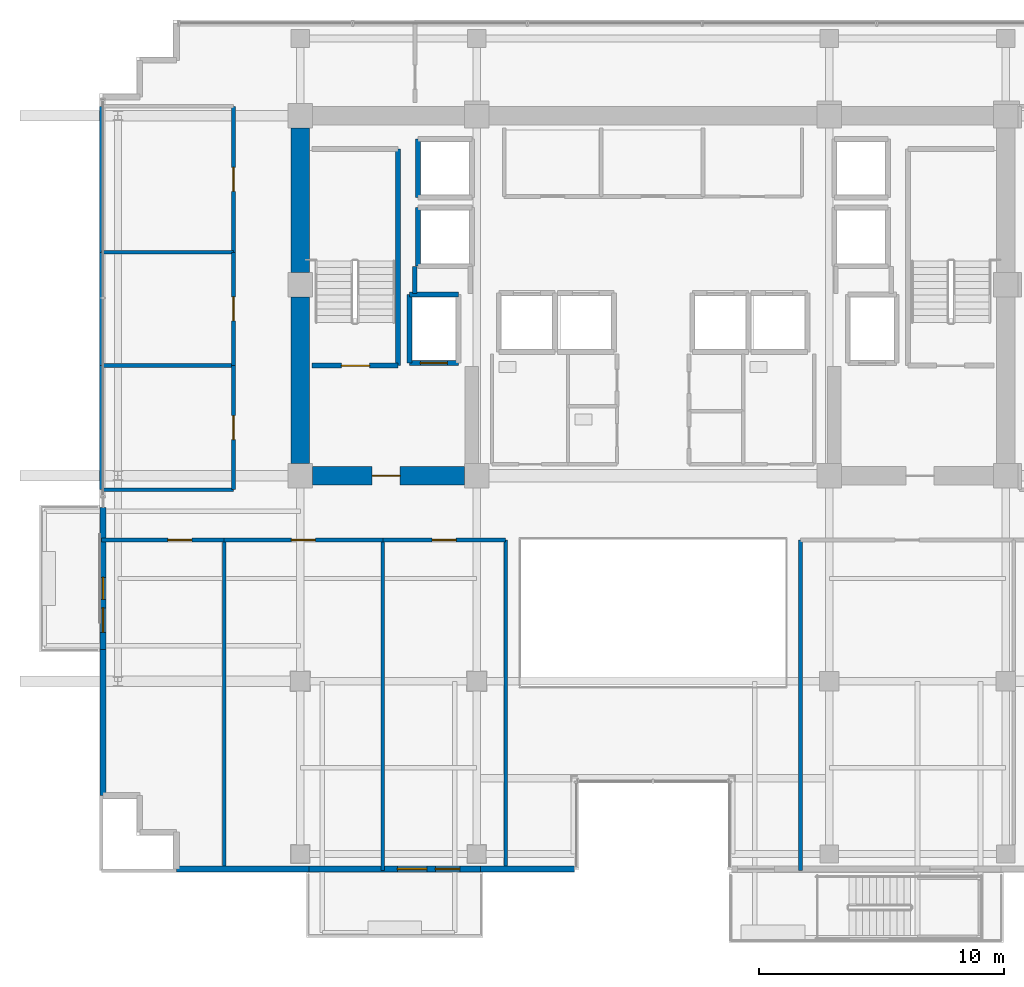
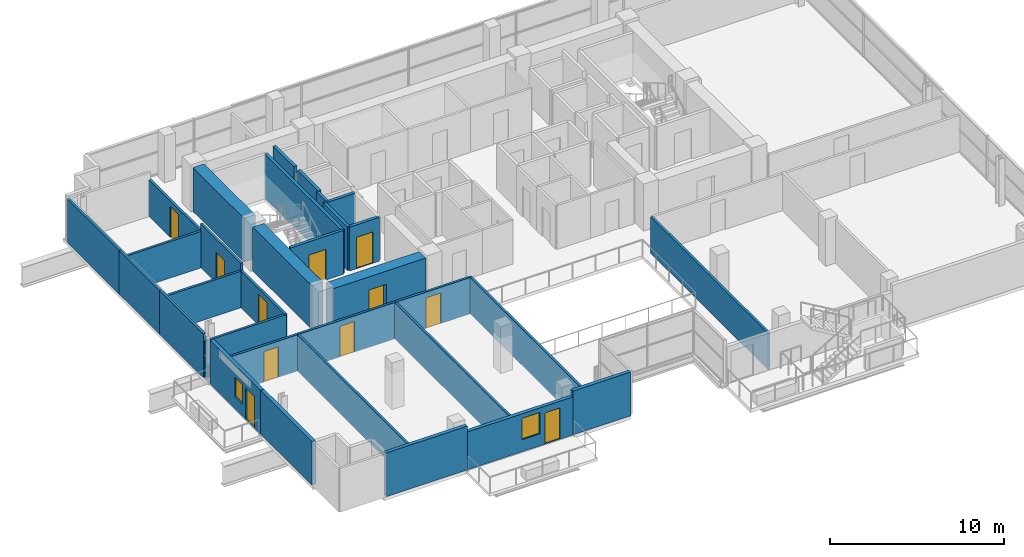
# One storey, part 16 of 23: 32 walls, 11 doors, 2 windows, 13 openings.
"""IFC4 building model written with IfcOpenShell, lengths in metres."""

from ifc_helpers import new_model, si_unit, direction, frame, frame_2d, origin, place, context, subcontext, project, spatial, rectangle, extrude, source, transform, mapped, material, layer, layer_set, type_object, element, fill, save


model = new_model("IFC4")

# Units and contexts
model_context = context("Model", 3, precision=1e-05, world=origin(), true_north=direction((0.0, 1.0)))
body_context = subcontext(model_context, "Body", "Model", "MODEL_VIEW")
ifc_project = project(units=[si_unit("LENGTHUNIT", "METRE"), si_unit("AREAUNIT", "SQUARE_METRE"), si_unit("VOLUMEUNIT", "CUBIC_METRE"), si_unit("PLANEANGLEUNIT", "RADIAN"), si_unit("MASSUNIT", "GRAM", prefix="KILO")], contexts=[model_context])

# Site, building, storey
site_placement = place(None, origin())
site = spatial("IfcSite", under=ifc_project, at=site_placement, CompositionType="ELEMENT")
building_placement = place(site_placement, origin())
building = spatial("IfcBuilding", under=site, at=building_placement, Name="Zarnakvel Exchange Tower", CompositionType="ELEMENT")
storey_placement = place(building_placement, frame((0.0, 0.0, 172.60009765625)))
storey = spatial("IfcBuildingStorey", under=building, at=storey_placement, Name="L48", CompositionType="ELEMENT", Elevation=172.60009765625)

# Walls
ifc_material_1 = material(Name="Concrete C60/75", Category="concrete")
ifc_layer_1 = layer(ifc_material_1, 0.75)
ifc_layer_set_1 = layer_set([ifc_layer_1], Name="Concrete C60/75")
wall_type_1 = type_object("IfcWallType", Name="CW-C3", PredefinedType="SHEAR", material=ifc_layer_set_1)
wall_1_placement = place(storey_placement, frame((-14.39990234375, -0.699951171875, 0.0), z_axis=(0.0, 0.0, 1.0), x_axis=(0.0, 1.0, 0.0)))
element("IfcWall", 1, at=wall_1_placement, inside=storey, type_object=wall_type_1, Name="L48 Rear Core Shear Wall W1 (CW-C3)", PredefinedType="SHEAR", context=body_context, shape_type="SweptSolid", body=[
    extrude(rectangle(XDim=6.800048828125, YDim=0.75, at=frame_2d((3.39990234375, 0.0))), origin(), (0.0, 0.0, 1.0), 3.074951171875),
])
wall_2_placement = place(storey_placement, frame((-14.39990234375, 7.10009765625, 0.0), z_axis=(0.0, 0.0, 1.0), x_axis=(0.0, 1.0, 0.0)))
element("IfcWall", 2, at=wall_2_placement, inside=storey, type_object=wall_type_1, Name="L48 Rear Core Shear Wall W2 (CW-C3)", PredefinedType="SHEAR", context=body_context, shape_type="SweptSolid", body=[
    extrude(rectangle(XDim=5.89990234375, YDim=0.75, at=frame_2d((2.949951171875, 0.0))), origin(), (0.0, 0.0, 1.0), 3.074951171875),
])

# Wall, opening, door
wall_3_placement = place(storey_placement, frame((-7.699951171875, -1.199951171875, 0.0), z_axis=(0.0, 0.0, 1.0), x_axis=(-1.0, 0.0, 0.0)))
wall_3 = element("IfcWall", 3, at=wall_3_placement, inside=storey, type_object=wall_type_1, Name="L48 Rear Core Shear Wall SW (CW-C3)", PredefinedType="SHEAR", context=body_context, shape_type="SweptSolid", body=[
    extrude(rectangle(XDim=6.199951171875, YDim=0.75, at=frame_2d((3.10009765625, 0.0))), origin(), (0.0, 0.0, 1.0), 3.074951171875),
])
opening_1_placement = place(wall_3_placement, frame((2.625, 0.0, 0.0)))
opening_1 = element("IfcOpeningElement", 4, at=opening_1_placement, cuts=wall_3, Name="Opening D-L48-03", PredefinedType="OPENING", context=body_context, shape_type="SweptSolid", body=[
    extrude(rectangle(XDim=1.14990234375, YDim=2.14990234375, at=frame_2d((0.574951171875, 1.074951171875))), frame((0.0, 0.385009765625, 0.0), z_axis=(0.0, -1.0, 0.0), x_axis=(1.0, 0.0, 0.0)), (0.0, 0.0, 1.0), 0.77001953125),
])
ifc_material_2 = material(Name="Painted Galvanised Steel S355", Category="steel")
door_type_1 = type_object("IfcDoorType", Name="DT-04", OperationType="NOTDEFINED", PredefinedType="DOOR", material=ifc_material_2)
shared_shape_1 = source(origin(), body_context, "Body", "SweptSolid", [
    extrude(rectangle(XDim=1.14990234375, YDim=2.14990234375, at=frame_2d((0.574951171875, 1.074951171875))), frame((0.0, 0.02490234375, 0.0), z_axis=(0.0, -1.0, 0.0), x_axis=(1.0, 0.0, 0.0)), (0.0, 0.0, 1.0), 0.050048828125),
])
door_1_placement = place(opening_1_placement, origin())
door_1 = element("IfcDoor", 5, at=door_1_placement, inside=storey, type_object=door_type_1, Name="L48 Firefighting Lobby West Door D-L48-03", OperationType="SINGLE_SWING_RIGHT", OverallHeight=2.14990234375, OverallWidth=1.14990234375, PredefinedType="DOOR", context=body_context, shape_type="MappedRepresentation", body=[
    mapped(shared_shape_1, transform((0.0, 0.0, 0.0), x_axis=(1.0, 0.0, 0.0), y_axis=(0.0, 1.0, 0.0), z_axis=(0.0, 0.0, 1.0), scale=1.0)),
])
fill(opening_1, door_1)

# Wall, openings, door, window
ifc_material_3 = material(Name="Precast concrete C40/50", Category="concrete")
ifc_layer_2 = layer(ifc_material_3, 0.239990234375)
ifc_layer_set_2 = layer_set([ifc_layer_2], Name="Precast concrete C40/50")
wall_type_2 = type_object("IfcWallType", Name="EW-02", PredefinedType="SOLIDWALL", material=ifc_layer_set_2)
wall_4_placement = place(storey_placement, frame((-7.050048828125, -17.260009765625, 0.0), z_axis=(0.0, 0.0, 1.0), x_axis=(-1.0, 0.0, 0.0)))
wall_4 = element("IfcWall", 6, at=wall_4_placement, inside=storey, type_object=wall_type_2, Name="L48 Exterior Precast Spandrel Wall EW-BAL-L48-SW (EW-02)", PredefinedType="SOLIDWALL", context=body_context, shape_type="SweptSolid", body=[
    extrude(rectangle(XDim=7.0, YDim=0.239990234375, at=frame_2d((3.5, 0.0))), origin(), (0.0, 0.0, 1.0), 2.664794921875),
])
opening_2_placement = place(wall_4_placement, frame((0.840087890625, 0.0, 0.0)))
opening_2 = element("IfcOpeningElement", 7, at=opening_2_placement, cuts=wall_4, Name="Opening BD-L48-01", PredefinedType="OPENING", context=body_context, shape_type="SweptSolid", body=[
    extrude(rectangle(XDim=1.0, YDim=2.199951171875, at=frame_2d((0.5, 1.10009765625))), frame((0.0, 0.1298828125, 0.0), z_axis=(0.0, -1.0, 0.0), x_axis=(1.0, 0.0, 0.0)), (0.0, 0.0, 1.0), 0.260009765625),
])
opening_3_placement = place(wall_4_placement, frame((2.18994140625, 0.0, 0.85009765625)))
opening_3 = element("IfcOpeningElement", 8, at=opening_3_placement, cuts=wall_4, Name="Opening WN-04", PredefinedType="OPENING", context=body_context, shape_type="SweptSolid", body=[
    extrude(rectangle(XDim=1.199951171875, YDim=1.5, at=frame_2d((0.60009765625, 0.75))), frame((0.0, 0.1298828125, 0.0), z_axis=(0.0, -1.0, 0.0), x_axis=(1.0, 0.0, 0.0)), (0.0, 0.0, 1.0), 0.260009765625),
])
ifc_material_4 = material(Name="Architectural Bronze Anodised Aluminium", Category="aluminium")
door_type_2 = type_object("IfcDoorType", Name="DT-09", OperationType="NOTDEFINED", PredefinedType="DOOR", material=ifc_material_4)
shared_shape_2 = source(origin(), body_context, "Body", "SweptSolid", [
    extrude(rectangle(XDim=1.0, YDim=2.199951171875, at=frame_2d((0.5, 1.10009765625))), frame((0.0, 0.02490234375, 0.0), z_axis=(0.0, -1.0, 0.0), x_axis=(1.0, 0.0, 0.0)), (0.0, 0.0, 1.0), 0.050048828125),
])
door_2_placement = place(opening_2_placement, origin())
door_2 = element("IfcDoor", 9, at=door_2_placement, inside=storey, type_object=door_type_2, Name="L48 Planted Loggia Balcony Door BD-L48-01", OperationType="SINGLE_SWING_RIGHT", OverallHeight=2.199951171875, OverallWidth=1.0, PredefinedType="DOOR", context=body_context, shape_type="MappedRepresentation", body=[
    mapped(shared_shape_2, transform((0.0, 0.0, 0.0), x_axis=(1.0, 0.0, 0.0), y_axis=(0.0, 1.0, 0.0), z_axis=(0.0, 0.0, 1.0), scale=1.0)),
])
fill(opening_2, door_2)
ifc_material_5 = material(Name="Double Low-E Laminated Vision Glass", Category="glass")
window_type_1 = type_object("IfcWindowType", Name="WN-04", PartitioningType="SINGLE_PANEL", PredefinedType="WINDOW", material=ifc_material_5)
shared_shape_3 = source(origin(), body_context, "Body", "SweptSolid", [
    extrude(rectangle(XDim=1.199951171875, YDim=1.5, at=frame_2d((0.60009765625, 0.75))), frame((0.0, 0.030029296875, 0.0), z_axis=(0.0, -1.0, 0.0), x_axis=(1.0, 0.0, 0.0)), (0.0, 0.0, 1.0), 0.06005859375),
])
window_1_placement = place(opening_3_placement, origin())
window_1 = element("IfcWindow", 10, at=window_1_placement, inside=storey, type_object=window_type_1, Name="L48 Loggia Daylight Window (WN-04)", OverallHeight=1.5, OverallWidth=1.199951171875, PartitioningType="SINGLE_PANEL", PredefinedType="WINDOW", context=body_context, shape_type="MappedRepresentation", body=[
    mapped(shared_shape_3, transform((0.0, 0.0, 0.0), x_axis=(1.0, 0.0, 0.0), y_axis=(0.0, 1.0, 0.0), z_axis=(0.0, 0.0, 1.0), scale=1.0)),
])
fill(opening_3, window_1)

wall_5_placement = place(storey_placement, frame((-22.4599609375, -8.300048828125, 0.0), z_axis=(0.0, 0.0, 1.0), x_axis=(0.0, 1.0, 0.0)))
wall_5 = element("IfcWall", 11, at=wall_5_placement, inside=storey, type_object=wall_type_2, Name="L48 Exterior Precast Spandrel Wall EW-BAL-L48-W (EW-02)", PredefinedType="SOLIDWALL", context=body_context, shape_type="SweptSolid", body=[
    extrude(rectangle(XDim=5.800048828125, YDim=0.239990234375, at=frame_2d((2.89990234375, 0.0))), origin(), (0.0, 0.0, 1.0), 3.074951171875),
])
opening_4_placement = place(wall_5_placement, frame((0.696044921875, 0.0, 0.0)))
opening_4 = element("IfcOpeningElement", 12, at=opening_4_placement, cuts=wall_5, Name="Opening BD-L48-02", PredefinedType="OPENING", context=body_context, shape_type="SweptSolid", body=[
    extrude(rectangle(XDim=1.0, YDim=2.199951171875, at=frame_2d((0.5, 1.10009765625))), frame((0.0, 0.1298828125, 0.0), z_axis=(0.0, -1.0, 0.0), x_axis=(1.0, 0.0, 0.0)), (0.0, 0.0, 1.0), 0.260009765625),
])
opening_5_placement = place(wall_5_placement, frame((2.0458984375, 0.0, 0.85009765625)))
opening_5 = element("IfcOpeningElement", 13, at=opening_5_placement, cuts=wall_5, Name="Opening WN-06", PredefinedType="OPENING", context=body_context, shape_type="SweptSolid", body=[
    extrude(rectangle(XDim=0.89990234375, YDim=1.35009765625, at=frame_2d((0.449951171875, 0.675048828125))), frame((0.0, 0.1298828125, 0.0), z_axis=(0.0, -1.0, 0.0), x_axis=(1.0, 0.0, 0.0)), (0.0, 0.0, 1.0), 0.260009765625),
])
door_3_placement = place(opening_4_placement, origin())
door_3 = element("IfcDoor", 14, at=door_3_placement, inside=storey, type_object=door_type_2, Name="L48 Planted Loggia Balcony Door BD-L48-02", OperationType="SINGLE_SWING_LEFT", OverallHeight=2.199951171875, OverallWidth=1.0, PredefinedType="DOOR", context=body_context, shape_type="MappedRepresentation", body=[
    mapped(shared_shape_2, transform((0.0, 0.0, 0.0), x_axis=(1.0, 0.0, 0.0), y_axis=(0.0, 1.0, 0.0), z_axis=(0.0, 0.0, 1.0), scale=1.0)),
])
fill(opening_4, door_3)
window_type_2 = type_object("IfcWindowType", Name="WN-06", PartitioningType="SINGLE_PANEL", PredefinedType="WINDOW", material=ifc_material_5)
shared_shape_4 = source(origin(), body_context, "Body", "SweptSolid", [
    extrude(rectangle(XDim=0.89990234375, YDim=1.35009765625, at=frame_2d((0.449951171875, 0.675048828125))), frame((0.0, 0.030029296875, 0.0), z_axis=(0.0, -1.0, 0.0), x_axis=(1.0, 0.0, 0.0)), (0.0, 0.0, 1.0), 0.06005859375),
])
window_2_placement = place(opening_5_placement, origin())
window_2 = element("IfcWindow", 15, at=window_2_placement, inside=storey, type_object=window_type_2, Name="L48 Loggia Daylight Window (WN-06)", OverallHeight=1.35009765625, OverallWidth=0.89990234375, PartitioningType="SINGLE_PANEL", PredefinedType="WINDOW", context=body_context, shape_type="MappedRepresentation", body=[
    mapped(shared_shape_4, transform((0.0, 0.0, 0.0), x_axis=(1.0, 0.0, 0.0), y_axis=(0.0, 1.0, 0.0), z_axis=(0.0, 0.0, 1.0), scale=1.0)),
])
fill(opening_5, window_2)

# Walls
wall_6_placement = place(storey_placement, frame((-22.4599609375, -8.300048828125, 0.0), z_axis=(0.0, 0.0, 1.0), x_axis=(0.0, -1.0, 0.0)))
element("IfcWall", 16, at=wall_6_placement, inside=storey, type_object=wall_type_2, Name="L48 Exterior Precast Spandrel Wall EWC-L48-01 (EW-02)", PredefinedType="SOLIDWALL", context=body_context, shape_type="SweptSolid", body=[
    extrude(rectangle(XDim=5.9599609375, YDim=0.239990234375, at=frame_2d((2.97998046875, 0.0))), origin(), (0.0, 0.0, 1.0), 3.074951171875),
])
wall_7_placement = place(storey_placement, frame((-7.050048828125, -17.260009765625, 0.0), z_axis=(0.0, 0.0, 1.0), x_axis=(1.0, 0.0, 0.0)))
element("IfcWall", 17, at=wall_7_placement, inside=storey, type_object=wall_type_2, Name="L48 Exterior Precast Spandrel Wall EWC-L48-20 (EW-02)", PredefinedType="SOLIDWALL", context=body_context, shape_type="SweptSolid", body=[
    extrude(rectangle(XDim=3.85009765625, YDim=0.239990234375, at=frame_2d((1.925048828125, 0.0))), origin(), (0.0, 0.0, 1.0), 3.074951171875),
])
wall_8_placement = place(storey_placement, frame((-19.4599609375, -17.260009765625, 0.0), z_axis=(0.0, 0.0, 1.0), x_axis=(1.0, 0.0, 0.0)))
element("IfcWall", 18, at=wall_8_placement, inside=storey, type_object=wall_type_2, Name="L48 Exterior Precast Spandrel Wall EWC-L48-21 (EW-02)", PredefinedType="SOLIDWALL", context=body_context, shape_type="SweptSolid", body=[
    extrude(rectangle(XDim=5.409912109375, YDim=0.239990234375, at=frame_2d((2.705078125, 0.0))), origin(), (0.0, 0.0, 1.0), 3.074951171875),
])

# Wall, opening, door
ifc_material_6 = material(Name="Fire-Rated Gypsum Stud Partition", Category="gypsum")
ifc_layer_3 = layer(ifc_material_6, 0.14990234375)
ifc_layer_set_3 = layer_set([ifc_layer_3], Name="Fire-Rated Gypsum Stud Partition")
wall_type_3 = type_object("IfcWallType", Name="PT-01", PredefinedType="PARTITIONING", material=ifc_layer_set_3)
wall_9_placement = place(storey_placement, frame((-22.530029296875, -3.830078125, 0.0), z_axis=(0.0, 0.0, 1.0), x_axis=(1.0, 0.0, 0.0)))
wall_9 = element("IfcWall", 19, at=wall_9_placement, inside=storey, type_object=wall_type_3, Name="L48 Partition Wall PWALL-L48-034 (PT-01)", PredefinedType="PARTITIONING", context=body_context, shape_type="SweptSolid", body=[
    extrude(rectangle(XDim=5.017578125, YDim=0.14990234375, at=frame_2d((2.5087890625, 0.0))), origin(), (0.0, 0.0, 1.0), 2.56494140625),
])
opening_6_placement = place(wall_9_placement, frame((2.718994140625, 0.0, 0.0)))
opening_6 = element("IfcOpeningElement", 20, at=opening_6_placement, cuts=wall_9, Name="Opening D-L48-14", PredefinedType="OPENING", context=body_context, shape_type="SweptSolid", body=[
    extrude(rectangle(XDim=0.97998046875, YDim=2.14990234375, at=frame_2d((0.489990234375, 1.074951171875))), frame((0.0, 0.0849609375, 0.0), z_axis=(0.0, -1.0, 0.0), x_axis=(1.0, 0.0, 0.0)), (0.0, 0.0, 1.0), 0.169921875),
])
ifc_material_7 = material(Name="Timber Acoustic Veneer", Category="wood")
door_type_3 = type_object("IfcDoorType", Name="DT-05", OperationType="NOTDEFINED", PredefinedType="DOOR", material=ifc_material_7)
shared_shape_5 = source(origin(), body_context, "Body", "SweptSolid", [
    extrude(rectangle(XDim=0.97998046875, YDim=2.14990234375, at=frame_2d((0.489990234375, 1.074951171875))), frame((0.0, 0.02490234375, 0.0), z_axis=(0.0, -1.0, 0.0), x_axis=(1.0, 0.0, 0.0)), (0.0, 0.0, 1.0), 0.050048828125),
])
door_4_placement = place(opening_6_placement, origin())
door_4 = element("IfcDoor", 21, at=door_4_placement, inside=storey, type_object=door_type_3, Name="L48 Commodities Dealing Room Door D-L48-14", OperationType="SINGLE_SWING_LEFT", OverallHeight=2.14990234375, OverallWidth=0.97998046875, PredefinedType="DOOR", context=body_context, shape_type="MappedRepresentation", body=[
    mapped(shared_shape_5, transform((0.0, 0.0, 0.0), x_axis=(1.0, 0.0, 0.0), y_axis=(0.0, 1.0, 0.0), z_axis=(0.0, 0.0, 1.0), scale=1.0)),
])
fill(opening_6, door_4)

# Wall
wall_10_placement = place(storey_placement, frame((-17.512451171875, -3.830078125, 0.0), z_axis=(0.0, 0.0, 1.0), x_axis=(0.0, -1.0, 0.0)))
element("IfcWall", 22, at=wall_10_placement, inside=storey, type_object=wall_type_3, Name="L48 Partition Wall PWALL-L48-036 (PT-01)", PredefinedType="PARTITIONING", context=body_context, shape_type="SweptSolid", body=[
    extrude(rectangle(XDim=13.5, YDim=0.14990234375, at=frame_2d((6.75, 0.0))), origin(), (0.0, 0.0, 1.0), 2.56494140625),
])

# Wall, opening, door
wall_11_placement = place(storey_placement, frame((-17.512451171875, -3.830078125, 0.0), z_axis=(0.0, 0.0, 1.0), x_axis=(1.0, 0.0, 0.0)))
wall_11 = element("IfcWall", 23, at=wall_11_placement, inside=storey, type_object=wall_type_3, Name="L48 Partition Wall PWALL-L48-038 (PT-01)", PredefinedType="PARTITIONING", context=body_context, shape_type="SweptSolid", body=[
    extrude(rectangle(XDim=6.474853515625, YDim=0.14990234375, at=frame_2d((3.2373046875, 0.0))), origin(), (0.0, 0.0, 1.0), 2.56494140625),
])
opening_7_placement = place(wall_11_placement, frame((2.747314453125, 0.0, 0.0)))
opening_7 = element("IfcOpeningElement", 24, at=opening_7_placement, cuts=wall_11, Name="Opening D-L48-15", PredefinedType="OPENING", context=body_context, shape_type="SweptSolid", body=[
    extrude(rectangle(XDim=0.97998046875, YDim=2.14990234375, at=frame_2d((0.489990234375, 1.074951171875))), frame((0.0, 0.0849609375, 0.0), z_axis=(0.0, -1.0, 0.0), x_axis=(1.0, 0.0, 0.0)), (0.0, 0.0, 1.0), 0.169921875),
])
door_5_placement = place(opening_7_placement, origin())
door_5 = element("IfcDoor", 25, at=door_5_placement, inside=storey, type_object=door_type_3, Name="L48 Brokerage Office Door D-L48-15", OperationType="SINGLE_SWING_RIGHT", OverallHeight=2.14990234375, OverallWidth=0.97998046875, PredefinedType="DOOR", context=body_context, shape_type="MappedRepresentation", body=[
    mapped(shared_shape_5, transform((0.0, 0.0, 0.0), x_axis=(1.0, 0.0, 0.0), y_axis=(0.0, 1.0, 0.0), z_axis=(0.0, 0.0, 1.0), scale=1.0)),
])
fill(opening_7, door_5)

# Wall
wall_12_placement = place(storey_placement, frame((-11.03759765625, -3.830078125, 0.0), z_axis=(0.0, 0.0, 1.0), x_axis=(0.0, -1.0, 0.0)))
element("IfcWall", 26, at=wall_12_placement, inside=storey, type_object=wall_type_3, Name="L48 Partition Wall PWALL-L48-039 (PT-01)", PredefinedType="PARTITIONING", context=body_context, shape_type="SweptSolid", body=[
    extrude(rectangle(XDim=13.5, YDim=0.14990234375, at=frame_2d((6.75, 0.0))), origin(), (0.0, 0.0, 1.0), 2.56494140625),
])

# Wall, opening, door
wall_13_placement = place(storey_placement, frame((-11.03759765625, -3.830078125, 0.0), z_axis=(0.0, 0.0, 1.0), x_axis=(1.0, 0.0, 0.0)))
wall_13 = element("IfcWall", 27, at=wall_13_placement, inside=storey, type_object=wall_type_3, Name="L48 Partition Wall PWALL-L48-041 (PT-01)", PredefinedType="PARTITIONING", context=body_context, shape_type="SweptSolid", body=[
    extrude(rectangle(XDim=5.017578125, YDim=0.14990234375, at=frame_2d((2.5087890625, 0.0))), origin(), (0.0, 0.0, 1.0), 2.56494140625),
])
opening_8_placement = place(wall_13_placement, frame((2.0185546875, 0.0, 0.0)))
opening_8 = element("IfcOpeningElement", 28, at=opening_8_placement, cuts=wall_13, Name="Opening D-L48-16", PredefinedType="OPENING", context=body_context, shape_type="SweptSolid", body=[
    extrude(rectangle(XDim=0.97998046875, YDim=2.14990234375, at=frame_2d((0.489990234375, 1.074951171875))), frame((0.0, 0.0849609375, 0.0), z_axis=(0.0, -1.0, 0.0), x_axis=(1.0, 0.0, 0.0)), (0.0, 0.0, 1.0), 0.169921875),
])
door_6_placement = place(opening_8_placement, origin())
door_6 = element("IfcDoor", 29, at=door_6_placement, inside=storey, type_object=door_type_3, Name="L48 Seminar Room Door D-L48-16", OperationType="SINGLE_SWING_LEFT", OverallHeight=2.14990234375, OverallWidth=0.97998046875, PredefinedType="DOOR", context=body_context, shape_type="MappedRepresentation", body=[
    mapped(shared_shape_5, transform((0.0, 0.0, 0.0), x_axis=(1.0, 0.0, 0.0), y_axis=(0.0, 1.0, 0.0), z_axis=(0.0, 0.0, 1.0), scale=1.0)),
])
fill(opening_8, door_6)

# Walls
for number, where, z_axis, x_axis, name in (
    (30, (-6.02001953125, -3.830078125, 0.0), (0.0, 0.0, 1.0), (0.0, -1.0, 0.0), "L48 Partition Wall PWALL-L48-042 (PT-01)"),
    (31, (6.02001953125, -17.330078125, 0.0), (0.0, 0.0, 1.0), (0.0, 1.0, 0.0), "L48 Partition Wall PWALL-L48-046 (PT-01)"),
):
    element("IfcWall", number, at=place(storey_placement, frame(where, z_axis=z_axis, x_axis=x_axis)), inside=storey, type_object=wall_type_3, Name=name, PredefinedType="PARTITIONING", context=body_context, shape_type="SweptSolid", body=[
        extrude(rectangle(XDim=13.5, YDim=0.14990234375, at=frame_2d((6.75, 0.0))), origin(), (0.0, 0.0, 1.0), 2.56494140625),
    ])
for number, where, z_axis, x_axis, name in (
    (32, (-17.1298828125, -1.77001953125, 0.0), (0.0, 0.0, 1.0), (-1.0, 0.0, 0.0), "L48 Partition Wall PWALL-L48-052 (PT-01)"),
    (33, (-22.530029296875, 3.2978515625, 0.0), (0.0, 0.0, 1.0), (1.0, 0.0, 0.0), "L48 Partition Wall PWALL-L48-053 (PT-01)"),
):
    element("IfcWall", number, at=place(storey_placement, frame(where, z_axis=z_axis, x_axis=x_axis)), inside=storey, type_object=wall_type_3, Name=name, PredefinedType="PARTITIONING", context=body_context, shape_type="SweptSolid", body=[
        extrude(rectangle(XDim=5.400146484375, YDim=0.14990234375, at=frame_2d((2.7001953125, 0.0))), origin(), (0.0, 0.0, 1.0), 2.56494140625),
    ])
wall_14_placement = place(storey_placement, frame((-22.530029296875, -1.77001953125, 0.0), z_axis=(0.0, 0.0, 1.0), x_axis=(0.0, 1.0, 0.0)))
element("IfcWall", 34, at=wall_14_placement, inside=storey, type_object=wall_type_3, Name="L48 Partition Wall PWALL-L48-054 (PT-01)", PredefinedType="PARTITIONING", context=body_context, shape_type="SweptSolid", body=[
    extrude(rectangle(XDim=5.06787109375, YDim=0.14990234375, at=frame_2d((2.533935546875, 0.0))), origin(), (0.0, 0.0, 1.0), 3.074951171875),
])

# Wall, opening, door
wall_15_placement = place(storey_placement, frame((-17.1298828125, 3.2978515625, 0.0), z_axis=(0.0, 0.0, 1.0), x_axis=(0.0, -1.0, 0.0)))
wall_15 = element("IfcWall", 35, at=wall_15_placement, inside=storey, type_object=wall_type_3, Name="L48 Partition Wall PWALL-L48-055 (PT-01)", PredefinedType="PARTITIONING", context=body_context, shape_type="SweptSolid", body=[
    extrude(rectangle(XDim=5.06787109375, YDim=0.14990234375, at=frame_2d((2.533935546875, 0.0))), origin(), (0.0, 0.0, 1.0), 2.56494140625),
])
opening_9_placement = place(wall_15_placement, frame((2.0439453125, 0.0, 0.0)))
opening_9 = element("IfcOpeningElement", 36, at=opening_9_placement, cuts=wall_15, Name="Opening D-L48-19", PredefinedType="OPENING", context=body_context, shape_type="SweptSolid", body=[
    extrude(rectangle(XDim=0.97998046875, YDim=2.14990234375, at=frame_2d((0.489990234375, 1.074951171875))), frame((0.0, 0.0849609375, 0.0), z_axis=(0.0, -1.0, 0.0), x_axis=(1.0, 0.0, 0.0)), (0.0, 0.0, 1.0), 0.169921875),
])
door_7_placement = place(opening_9_placement, origin())
door_7 = element("IfcDoor", 37, at=door_7_placement, inside=storey, type_object=door_type_3, Name="L48 Boardroom Door D-L48-19", OperationType="SINGLE_SWING_RIGHT", OverallHeight=2.14990234375, OverallWidth=0.97998046875, PredefinedType="DOOR", context=body_context, shape_type="MappedRepresentation", body=[
    mapped(shared_shape_5, transform((0.0, 0.0, 0.0), x_axis=(1.0, 0.0, 0.0), y_axis=(0.0, 1.0, 0.0), z_axis=(0.0, 0.0, 1.0), scale=1.0)),
])
fill(opening_9, door_7)

# Walls
wall_16_placement = place(storey_placement, frame((-22.530029296875, 7.919677734375, 0.0), z_axis=(0.0, 0.0, 1.0), x_axis=(1.0, 0.0, 0.0)))
element("IfcWall", 38, at=wall_16_placement, inside=storey, type_object=wall_type_3, Name="L48 Partition Wall PWALL-L48-056 (PT-01)", PredefinedType="PARTITIONING", context=body_context, shape_type="SweptSolid", body=[
    extrude(rectangle(XDim=5.400146484375, YDim=0.14990234375, at=frame_2d((2.7001953125, 0.0))), origin(), (0.0, 0.0, 1.0), 2.56494140625),
])
wall_17_placement = place(storey_placement, frame((-22.530029296875, 3.2978515625, 0.0), z_axis=(0.0, 0.0, 1.0), x_axis=(0.0, 1.0, 0.0)))
element("IfcWall", 39, at=wall_17_placement, inside=storey, type_object=wall_type_3, Name="L48 Partition Wall PWALL-L48-057 (PT-01)", PredefinedType="PARTITIONING", context=body_context, shape_type="SweptSolid", body=[
    extrude(rectangle(XDim=4.621826171875, YDim=0.14990234375, at=frame_2d((2.31103515625, 0.0))), origin(), (0.0, 0.0, 1.0), 3.074951171875),
])

# Wall, opening, door
wall_18_placement = place(storey_placement, frame((-17.1298828125, 7.919677734375, 0.0), z_axis=(0.0, 0.0, 1.0), x_axis=(0.0, -1.0, 0.0)))
wall_18 = element("IfcWall", 40, at=wall_18_placement, inside=storey, type_object=wall_type_3, Name="L48 Partition Wall PWALL-L48-058 (PT-01)", PredefinedType="PARTITIONING", context=body_context, shape_type="SweptSolid", body=[
    extrude(rectangle(XDim=4.621826171875, YDim=0.14990234375, at=frame_2d((2.31103515625, 0.0))), origin(), (0.0, 0.0, 1.0), 3.074951171875),
])
opening_10_placement = place(wall_18_placement, frame((1.82080078125, 0.0, 0.0)))
opening_10 = element("IfcOpeningElement", 41, at=opening_10_placement, cuts=wall_18, Name="Opening D-L48-20", PredefinedType="OPENING", context=body_context, shape_type="SweptSolid", body=[
    extrude(rectangle(XDim=0.97998046875, YDim=2.14990234375, at=frame_2d((0.489990234375, 1.074951171875))), frame((0.0, 0.0849609375, 0.0), z_axis=(0.0, -1.0, 0.0), x_axis=(1.0, 0.0, 0.0)), (0.0, 0.0, 1.0), 0.169921875),
])
door_8_placement = place(opening_10_placement, origin())
door_8 = element("IfcDoor", 42, at=door_8_placement, inside=storey, type_object=door_type_3, Name="L48 Tea Pantry Door D-L48-20", OperationType="SINGLE_SWING_LEFT", OverallHeight=2.14990234375, OverallWidth=0.97998046875, PredefinedType="DOOR", context=body_context, shape_type="MappedRepresentation", body=[
    mapped(shared_shape_5, transform((0.0, 0.0, 0.0), x_axis=(1.0, 0.0, 0.0), y_axis=(0.0, 1.0, 0.0), z_axis=(0.0, 0.0, 1.0), scale=1.0)),
])
fill(opening_10, door_8)

# Wall
wall_19_placement = place(storey_placement, frame((-22.530029296875, 7.919677734375, 0.0), z_axis=(0.0, 0.0, 1.0), x_axis=(0.0, 1.0, 0.0)))
element("IfcWall", 43, at=wall_19_placement, inside=storey, type_object=wall_type_3, Name="L48 Partition Wall PWALL-L48-060 (PT-01)", PredefinedType="PARTITIONING", context=body_context, shape_type="SweptSolid", body=[
    extrude(rectangle(XDim=5.960205078125, YDim=0.14990234375, at=frame_2d((2.97998046875, 0.0))), origin(), (0.0, 0.0, 1.0), 3.074951171875),
])

# Wall, opening, door
wall_20_placement = place(storey_placement, frame((-17.1298828125, 13.8798828125, 0.0), z_axis=(0.0, 0.0, 1.0), x_axis=(0.0, -1.0, 0.0)))
wall_20 = element("IfcWall", 44, at=wall_20_placement, inside=storey, type_object=wall_type_3, Name="L48 Partition Wall PWALL-L48-061 (PT-01)", PredefinedType="PARTITIONING", context=body_context, shape_type="SweptSolid", body=[
    extrude(rectangle(XDim=5.960205078125, YDim=0.14990234375, at=frame_2d((2.97998046875, 0.0))), origin(), (0.0, 0.0, 1.0), 2.56494140625),
])
opening_11_placement = place(wall_20_placement, frame((2.489990234375, 0.0, 0.0)))
opening_11 = element("IfcOpeningElement", 45, at=opening_11_placement, cuts=wall_20, Name="Opening D-L48-21", PredefinedType="OPENING", context=body_context, shape_type="SweptSolid", body=[
    extrude(rectangle(XDim=0.97998046875, YDim=2.14990234375, at=frame_2d((0.489990234375, 1.074951171875))), frame((0.0, 0.0849609375, 0.0), z_axis=(0.0, -1.0, 0.0), x_axis=(1.0, 0.0, 0.0)), (0.0, 0.0, 1.0), 0.169921875),
])
door_9_placement = place(opening_11_placement, origin())
door_9 = element("IfcDoor", 46, at=door_9_placement, inside=storey, type_object=door_type_3, Name="L48 Fintech Workspace Door D-L48-21", OperationType="SINGLE_SWING_RIGHT", OverallHeight=2.14990234375, OverallWidth=0.97998046875, PredefinedType="DOOR", context=body_context, shape_type="MappedRepresentation", body=[
    mapped(shared_shape_5, transform((0.0, 0.0, 0.0), x_axis=(1.0, 0.0, 0.0), y_axis=(0.0, 1.0, 0.0), z_axis=(0.0, 0.0, 1.0), scale=1.0)),
])
fill(opening_11, door_9)

# Wall
ifc_layer_4 = layer(ifc_material_6, 0.179931640625)
ifc_layer_set_4 = layer_set([ifc_layer_4], Name="Fire-Rated Gypsum Stud Partition")
wall_type_4 = type_object("IfcWallType", Name="PT-02", PredefinedType="PARTITIONING", material=ifc_layer_set_4)
wall_21_placement = place(storey_placement, frame((-9.72998046875, 6.239990234375, 0.0), z_axis=(0.0, 0.0, 1.0), x_axis=(0.0, 1.0, 0.0)))
element("IfcWall", 47, at=wall_21_placement, inside=storey, type_object=wall_type_4, Name="L48 Partition Wall PWALL-L48-007 (PT-02)", PredefinedType="PARTITIONING", context=body_context, shape_type="SweptSolid", body=[
    extrude(rectangle(XDim=1.090087890625, YDim=0.179931640625, at=frame_2d((0.544921875, 0.0))), origin(), (0.0, 0.0, 1.0), 3.074951171875),
])

# Wall, opening, door
ifc_material_8 = material(Name="Concrete C40/50", Category="concrete")
ifc_layer_5 = layer(ifc_material_8, 0.199951171875)
ifc_layer_set_5 = layer_set([ifc_layer_5], Name="Concrete C40/50")
wall_type_5 = type_object("IfcWallType", Name="SW-01", PredefinedType="SOLIDWALL", material=ifc_layer_set_5)
wall_22_placement = place(storey_placement, frame((-7.949951171875, 3.39990234375, 0.0), z_axis=(0.0, 0.0, 1.0), x_axis=(-1.0, 0.0, 0.0)))
wall_22 = element("IfcWall", 48, at=wall_22_placement, inside=storey, type_object=wall_type_5, Name="L48 FL-01 Hoistway Wall South", PredefinedType="SOLIDWALL", context=body_context, shape_type="SweptSolid", body=[
    extrude(rectangle(XDim=2.0, YDim=0.199951171875, at=frame_2d((1.0, 0.0))), origin(), (0.0, 0.0, 1.0), 3.074951171875),
])
opening_12_placement = place(wall_22_placement, frame((0.449951171875, 0.0, 0.0)))
opening_12 = element("IfcOpeningElement", 49, at=opening_12_placement, cuts=wall_22, Name="Opening LD-FL-01-L48", PredefinedType="OPENING", context=body_context, shape_type="SweptSolid", body=[
    extrude(rectangle(XDim=1.10009765625, YDim=2.199951171875, at=frame_2d((0.550048828125, 1.10009765625))), frame((0.0, 0.10986328125, 0.0), z_axis=(0.0, -1.0, 0.0), x_axis=(1.0, 0.0, 0.0)), (0.0, 0.0, 1.0), 0.219970703125),
])
ifc_material_9 = material(Name="Brushed Stainless Steel", Category="steel")
door_type_4 = type_object("IfcDoorType", Name="LDT-01", OperationType="NOTDEFINED", PredefinedType="DOOR", material=ifc_material_9)
shared_shape_6 = source(origin(), body_context, "Body", "SweptSolid", [
    extrude(rectangle(XDim=1.10009765625, YDim=2.199951171875, at=frame_2d((0.550048828125, 1.10009765625))), frame((0.0, 0.02490234375, 0.0), z_axis=(0.0, -1.0, 0.0), x_axis=(1.0, 0.0, 0.0)), (0.0, 0.0, 1.0), 0.050048828125),
])
door_10_placement = place(opening_12_placement, origin())
door_10 = element("IfcDoor", 50, at=door_10_placement, inside=storey, type_object=door_type_4, Name="L48 FL-01 Lift Landing Door LD-FL-01-L48", OperationType="DOUBLE_DOOR_SLIDING", OverallHeight=2.199951171875, OverallWidth=1.10009765625, PredefinedType="DOOR", context=body_context, shape_type="MappedRepresentation", body=[
    mapped(shared_shape_6, transform((0.0, 0.0, 0.0), x_axis=(1.0, 0.0, 0.0), y_axis=(0.0, 1.0, 0.0), z_axis=(0.0, 0.0, 1.0), scale=1.0)),
])
fill(opening_12, door_10)

# Walls
wall_23_placement = place(storey_placement, frame((-9.949951171875, 6.199951171875, 0.0), z_axis=(0.0, 0.0, 1.0), x_axis=(1.0, 0.0, 0.0)))
element("IfcWall", 51, at=wall_23_placement, inside=storey, type_object=wall_type_5, Name="L48 FL-01 Hoistway Wall North", PredefinedType="SOLIDWALL", context=body_context, shape_type="SweptSolid", body=[
    extrude(rectangle(XDim=2.0, YDim=0.199951171875, at=frame_2d((1.0, 0.0))), origin(), (0.0, 0.0, 1.0), 3.074951171875),
])
wall_24_placement = place(storey_placement, frame((-9.949951171875, 3.39990234375, 0.0), z_axis=(0.0, 0.0, 1.0), x_axis=(0.0, 1.0, 0.0)))
element("IfcWall", 52, at=wall_24_placement, inside=storey, type_object=wall_type_5, Name="L48 FL-01 Hoistway Wall West", PredefinedType="SOLIDWALL", context=body_context, shape_type="SweptSolid", body=[
    extrude(rectangle(XDim=2.800048828125, YDim=0.199951171875, at=frame_2d((1.39990234375, 0.0))), origin(), (0.0, 0.0, 1.0), 3.074951171875),
])
wall_25_placement = place(storey_placement, frame((-9.60009765625, 7.35009765625, 0.0), z_axis=(0.0, 0.0, 1.0), x_axis=(0.0, 1.0, 0.0)))
element("IfcWall", 53, at=wall_25_placement, inside=storey, type_object=wall_type_5, Name="L48 PL-09 Hoistway Wall West", PredefinedType="SOLIDWALL", context=body_context, shape_type="SweptSolid", body=[
    extrude(rectangle(XDim=2.39990234375, YDim=0.199951171875, at=frame_2d((1.199951171875, 0.0))), origin(), (0.0, 0.0, 1.0), 3.074951171875),
])
wall_26_placement = place(storey_placement, frame((-9.60009765625, 10.14990234375, 0.0), z_axis=(0.0, 0.0, 1.0), x_axis=(0.0, 1.0, 0.0)))
element("IfcWall", 54, at=wall_26_placement, inside=storey, type_object=wall_type_5, Name="L48 PL-10 Hoistway Wall West", PredefinedType="SOLIDWALL", context=body_context, shape_type="SweptSolid", body=[
    extrude(rectangle(XDim=2.400146484375, YDim=0.199951171875, at=frame_2d((1.2001953125, 0.0))), origin(), (0.0, 0.0, 1.0), 3.074951171875),
])

# Wall, opening, door
ifc_layer_6 = layer(ifc_material_8, 0.199951171875)
ifc_layer_set_6 = layer_set([ifc_layer_6], Name="Concrete C40/50")
wall_type_6 = type_object("IfcWallType", Name="SW-02", PredefinedType="SOLIDWALL", material=ifc_layer_set_6)
wall_27_placement = place(storey_placement, frame((-10.409912109375, 3.2900390625, 0.0), z_axis=(0.0, 0.0, 1.0), x_axis=(-1.0, 0.0, 0.0)))
wall_27 = element("IfcWall", 55, at=wall_27_placement, inside=storey, type_object=wall_type_6, Name="L48 Stairwell Core Wall PWALL-L48-001 (SW-02)", PredefinedType="SOLIDWALL", context=body_context, shape_type="SweptSolid", body=[
    extrude(rectangle(XDim=3.52001953125, YDim=0.199951171875, at=frame_2d((1.760009765625, 0.0))), origin(), (0.0, 0.0, 1.0), 3.074951171875),
])
opening_13_placement = place(wall_27_placement, frame((1.1650390625, 0.0, 0.0)))
opening_13 = element("IfcOpeningElement", 56, at=opening_13_placement, cuts=wall_27, Name="Opening D-L48-01", PredefinedType="OPENING", context=body_context, shape_type="SweptSolid", body=[
    extrude(rectangle(XDim=1.14990234375, YDim=2.14990234375, at=frame_2d((0.574951171875, 1.074951171875))), frame((0.0, 0.10986328125, 0.0), z_axis=(0.0, -1.0, 0.0), x_axis=(1.0, 0.0, 0.0)), (0.0, 0.0, 1.0), 0.219970703125),
])
door_11_placement = place(opening_13_placement, origin())
door_11 = element("IfcDoor", 57, at=door_11_placement, inside=storey, type_object=door_type_1, Name="L48 Stairwell ST-01 Door D-L48-01", OperationType="SINGLE_SWING_RIGHT", OverallHeight=2.14990234375, OverallWidth=1.14990234375, PredefinedType="DOOR", context=body_context, shape_type="MappedRepresentation", body=[
    mapped(shared_shape_1, transform((0.0, 0.0, 0.0), x_axis=(1.0, 0.0, 0.0), y_axis=(0.0, 1.0, 0.0), z_axis=(0.0, 0.0, 1.0), scale=1.0)),
])
fill(opening_13, door_11)

# Wall
wall_28_placement = place(storey_placement, frame((-10.409912109375, 12.1298828125, 0.0), z_axis=(0.0, 0.0, 1.0), x_axis=(0.0, -1.0, 0.0)))
element("IfcWall", 58, at=wall_28_placement, inside=storey, type_object=wall_type_6, Name="L48 Stairwell Core Wall PWALL-L48-003 (SW-02)", PredefinedType="SOLIDWALL", context=body_context, shape_type="SweptSolid", body=[
    extrude(rectangle(XDim=8.83984375, YDim=0.199951171875, at=frame_2d((4.419921875, 0.0))), origin(), (0.0, 0.0, 1.0), 3.074951171875),
])

save(model, "model.ifc")
